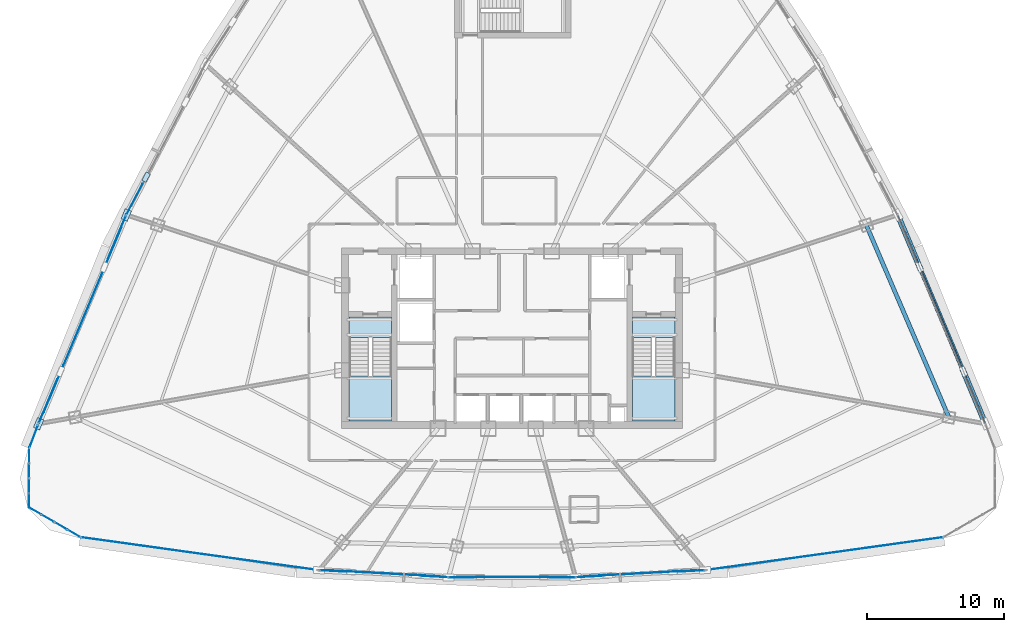
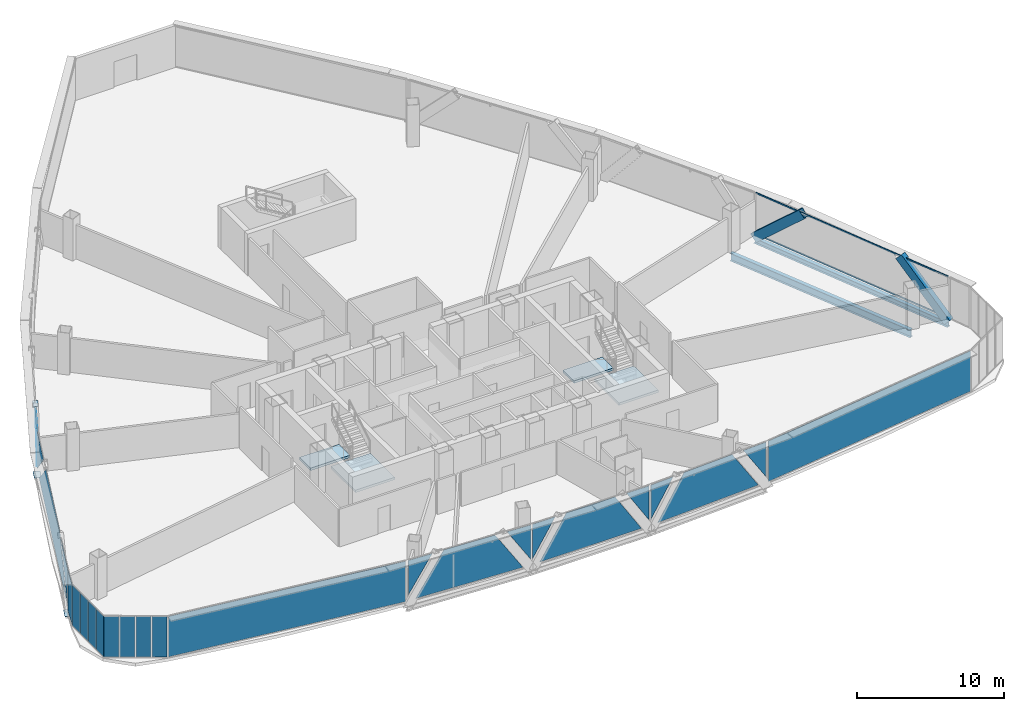
# One storey, part 27 of 37: 27 plates, 4 members, 4 slabs, 2 beams, 13 elements without a shape of their own.
"""IFC4 building model written with IfcOpenShell, lengths in metres."""

from ifc_helpers import new_model, si_unit, direction, frame, origin, origin_2d, place, context, subcontext, project, spatial, polyline, rectangle, hollow_rectangle, i_section, outline, extrude, source, transform, mapped, material, layer, layer_set, material_profile, profile_set, type_object, element, aggregate, save


model = new_model("IFC4")

# Units and contexts
model_context = context("Model", 3, precision=1e-05, world=origin(), true_north=direction((0.0, 1.0)))
body_context = subcontext(model_context, "Body", "Model", "MODEL_VIEW")
ifc_project = project(units=[si_unit("LENGTHUNIT", "METRE"), si_unit("AREAUNIT", "SQUARE_METRE"), si_unit("VOLUMEUNIT", "CUBIC_METRE"), si_unit("PLANEANGLEUNIT", "RADIAN"), si_unit("MASSUNIT", "GRAM", prefix="KILO"), si_unit("THERMODYNAMICTEMPERATUREUNIT", "KELVIN"), si_unit("POWERUNIT", "WATT")], contexts=[model_context])

# Site, building, storey
site_placement = place(None, origin())
site = spatial("IfcSite", under=ifc_project, at=site_placement, CompositionType="ELEMENT")
building_placement = place(site_placement, origin())
building = spatial("IfcBuilding", under=site, at=building_placement, Name="Yunzhuo Pagoda Commons", CompositionType="ELEMENT")
storey_placement = place(building_placement, frame((0.0, 0.0, 240.800048828125)))
storey = spatial("IfcBuildingStorey", under=building, at=storey_placement, Name="L60", CompositionType="ELEMENT", Elevation=240.800048828125)

# Beams
ifc_material_1 = material(Name="Structural steel Q355B", Category="steel")
ifc_material_profile_1 = material_profile(ifc_material_1, i_section(OverallWidth=0.300048828125, OverallDepth=0.64990234375, WebThickness=0.012939453125, FlangeThickness=0.02197265625, at=origin_2d()), Name="Structural steel Q355B")
ifc_profile_set_1 = profile_set([ifc_material_profile_1], Name="Structural steel Q355B")
beam_type_1 = type_object("IfcBeamType", Name="B-RG2 Beam HN 650x300x13x22", PredefinedType="BEAM", material=ifc_profile_set_1)
shared_shape_1 = source(origin(), body_context, "Body", "SweptSolid", [
    extrude(i_section(OverallWidth=0.300048828125, OverallDepth=0.64990234375, WebThickness=0.012939453125, FlangeThickness=0.02197265625, at=origin_2d()), origin(), (0.0, 0.0, 1.0), 15.28759765625),
])
beam_1_placement = place(storey_placement, frame((79.93408203125, 28.069091796875, -0.5849609375), z_axis=(-0.394788372839, 0.918772083093, 0.0), x_axis=(-0.918772083093, -0.394788372839, 0.0)))
element("IfcBeam", 1, at=beam_1_placement, inside=storey, type_object=beam_type_1, Name="L60 column-ring beam 5", PredefinedType="BEAM", context=body_context, shape_type="MappedRepresentation", body=[
    mapped(shared_shape_1, transform((0.0, 0.0, 0.0), scale=1.0)),
])
ifc_material_profile_2 = material_profile(ifc_material_1, i_section(OverallWidth=0.300048828125, OverallDepth=0.43994140625, WebThickness=0.010986328125, FlangeThickness=0.01806640625, at=origin_2d()), Name="Structural steel Q355B")
ifc_profile_set_2 = profile_set([ifc_material_profile_2], Name="Structural steel Q355B")
beam_type_2 = type_object("IfcBeamType", Name="B-SP2 Beam HM 440x300x11x18", PredefinedType="BEAM", material=ifc_profile_set_2)
shared_shape_2 = source(origin(), body_context, "Body", "SweptSolid", [
    extrude(i_section(OverallWidth=0.300048828125, OverallDepth=0.43994140625, WebThickness=0.010986328125, FlangeThickness=0.01806640625, at=origin_2d()), origin(), (0.0, 0.0, 1.0), 16.5537109375),
])
beam_2_placement = place(storey_placement, frame((82.6044921875, 27.598388671875, -0.47998046875), z_axis=(-0.387160772063, 0.922012221489, 0.0), x_axis=(-0.922012221489, -0.387160772063, 0.0)))
element("IfcBeam", 2, at=beam_2_placement, inside=storey, type_object=beam_type_2, Name="L60 facade edge spandrel beam F2.1", PredefinedType="BEAM", context=body_context, shape_type="MappedRepresentation", body=[
    mapped(shared_shape_2, transform((0.0, 0.0, 0.0), scale=1.0)),
])

# Members
ifc_material_profile_3 = material_profile(ifc_material_1, hollow_rectangle(XDim=0.39990234375, YDim=0.719970703125, WallThickness=0.02392578125, at=origin_2d()), Name="Structural steel Q355B")
ifc_profile_set_3 = profile_set([ifc_material_profile_3], Name="Structural steel Q355B")
member_type_1 = type_object("IfcMemberType", Name="M-DL2 Brace BOX 720x400x24", PredefinedType="BRACE", material=ifc_profile_set_3)
shared_shape_3 = source(origin(), body_context, "Body", "SweptSolid", [
    extrude(hollow_rectangle(XDim=0.39990234375, YDim=0.719970703125, WallThickness=0.02392578125, at=origin_2d()), origin(), (0.0, 0.0, 1.0), 5.571533203125),
])
member_1_placement = place(storey_placement, frame((82.6044921875, 27.598388671875, -0.260009765625), z_axis=(-0.287580564873, 0.684882558124, 0.669502278028), x_axis=(-0.922015799303, -0.387152251492, 0.0)))
element("IfcMember", 3, at=member_1_placement, inside=storey, type_object=member_type_1, Name="L60 facade diamond brace F2.1L", PredefinedType="BRACE", context=body_context, shape_type="MappedRepresentation", body=[
    mapped(shared_shape_3, transform((0.0, 0.0, 0.0), scale=1.0)),
])
shared_shape_4 = source(origin(), body_context, "Body", "SweptSolid", [
    extrude(hollow_rectangle(XDim=0.39990234375, YDim=0.719970703125, WallThickness=0.02392578125, at=origin_2d()), origin(), (0.0, 0.0, 1.0), 5.5712890625),
])
member_2_placement = place(storey_placement, frame((76.195556640625, 42.861083984375, -0.260009765625), z_axis=(0.287548999112, -0.68486792245, 0.669530807289), x_axis=(0.92202801509, 0.387123157912, 0.0)))
element("IfcMember", 4, at=member_2_placement, inside=storey, type_object=member_type_1, Name="L60 facade diamond brace F2.1R", PredefinedType="BRACE", context=body_context, shape_type="MappedRepresentation", body=[
    mapped(shared_shape_4, transform((0.0, 0.0, 0.0), scale=1.0)),
])

# Curtain wall, members
ifc_material_2 = material(Name="Anodized aluminium 6063-T6", Category="aluminium")
ifc_layer_1 = layer(ifc_material_2, 0.139892578125)
ifc_layer_set_1 = layer_set([ifc_layer_1], Name="Anodized aluminium 6063-T6")
curtain_wall_type_1 = type_object("IfcCurtainWallType", Name="CW-HI High-Zone Ribbon Curtain Wall", PredefinedType="NOTDEFINED", material=ifc_layer_set_1)
curtain_wall_1_placement = place(storey_placement, origin())
curtain_wall_1 = element("IfcCurtainWall", 5, at=curtain_wall_1_placement, inside=storey, type_object=curtain_wall_type_1, Name="L60 curtain wall CW-L60-F2B2", PredefinedType="NOTDEFINED")
ifc_material_profile_4 = material_profile(ifc_material_2, hollow_rectangle(XDim=0.054931640625, YDim=0.1201171875, WallThickness=0.00341796875, at=origin_2d()), Name="Anodized aluminium 6063-T6")
ifc_profile_set_4 = profile_set([ifc_material_profile_4], Name="Anodized aluminium 6063-T6")
member_type_2 = type_object("IfcMemberType", Name="CW-HI-T Transom RHS 120x55x3.5", PredefinedType="USERDEFINED", material=ifc_profile_set_4)
shared_shape_5 = source(origin(), body_context, "Body", "SweptSolid", [
    extrude(hollow_rectangle(XDim=0.054931640625, YDim=0.1201171875, WallThickness=0.00341796875, at=origin_2d()), origin(), (0.0, 0.0, 1.0), 16.433837890625),
])
member_3_placement = place(storey_placement, frame((82.581298828125, 27.65380859375, 0.02734375), z_axis=(-0.38717616129, 0.922005759271, 0.0), x_axis=(-0.922005759271, -0.38717616129, 0.0)))
member_3 = element("IfcMember", 6, at=member_3_placement, type_object=member_type_2, Name="CW transom 1.1", ObjectType="TRANSOM", PredefinedType="USERDEFINED", context=body_context, shape_type="MappedRepresentation", body=[
    mapped(shared_shape_5, transform((0.0, 0.0, 0.0), scale=1.0)),
])
member_4_placement = place(storey_placement, frame((82.581298828125, 27.65380859375, 3.4423828125), z_axis=(-0.38717616129, 0.922005759271, 0.0), x_axis=(-0.922005759271, -0.38717616129, 0.0)))
member_4 = element("IfcMember", 7, at=member_4_placement, type_object=member_type_2, Name="CW transom 1.2", ObjectType="TRANSOM", PredefinedType="USERDEFINED", context=body_context, shape_type="MappedRepresentation", body=[
    mapped(shared_shape_5, transform((0.0, 0.0, 0.0), scale=1.0)),
])
aggregate(curtain_wall_1, [member_3, member_4])

# Curtain wall, plates
curtain_wall_2_placement = place(storey_placement, origin())
curtain_wall_2 = element("IfcCurtainWall", 8, at=curtain_wall_2_placement, inside=storey, type_object=curtain_wall_type_1, Name="L60 curtain wall CW-L60-F1B2", PredefinedType="NOTDEFINED")
ifc_material_3 = material(Name="Tempered low-e double glazing", Category="glass")
ifc_layer_2 = layer(ifc_material_3, 0.02587890625)
ifc_layer_set_2 = layer_set([ifc_layer_2], Name="Tempered low-e double glazing")
plate_type_1 = type_object("IfcPlateType", Name="CW-HI-P Low-E Double Glazing 26", PredefinedType="CURTAIN_PANEL", material=ifc_layer_set_2)
plate_1_placement = place(storey_placement, frame((34.862548828125, 16.84619140625, 1.97900390625), z_axis=(-0.054497194278, -0.998513923697, 0.0), x_axis=(0.998513923697, -0.054497194278, 0.0)))
plate_1 = element("IfcPlate", 9, at=plate_1_placement, type_object=plate_type_1, Name="CW panel 1.1 lite 1", PredefinedType="CURTAIN_PANEL", context=body_context, shape_type="SweptSolid", body=[
    extrude(outline(polyline([(-0.912353515625, -1.43603515625), (0.912353515625, 1.43603515625), (-0.912353515625, 1.43603515625), (-0.912353515625, -1.43603515625)])), origin(), (0.0, 0.0, 1.0), 0.028076171875),
])
plate_2_placement = place(storey_placement, frame((38.625732421875, 16.6708984375, 1.73486328125), z_axis=(-0.054497194278, -0.998513923697, 0.0), x_axis=(0.998513923697, -0.054497194278, 0.0)))
plate_2 = element("IfcPlate", 10, at=plate_2_placement, type_object=plate_type_1, Name="CW panel 1.1 lite 2", PredefinedType="CURTAIN_PANEL", context=body_context, shape_type="SweptSolid", body=[
    extrude(outline(polyline([(-4.08935546875, -1.679931640625), (4.08935546875, -1.679931640625), (1.95458984375, 1.679931640625), (-1.95458984375, 1.679931640625), (-4.08935546875, -1.679931640625)])), origin(), (0.0, 0.0, 1.0), 0.028076171875),
])
plate_3_placement = place(storey_placement, frame((42.385986328125, 16.435546875, 1.97900390625), z_axis=(-0.054497194278, -0.998513923697, 0.0), x_axis=(0.998513923697, -0.054497194278, 0.0)))
plate_3 = element("IfcPlate", 11, at=plate_3_placement, type_object=plate_type_1, Name="CW panel 1.1 lite 3", PredefinedType="CURTAIN_PANEL", context=body_context, shape_type="SweptSolid", body=[
    extrude(outline(polyline([(-0.912353515625, 1.43603515625), (0.912353515625, -1.43603515625), (0.912353515625, 1.43603515625), (-0.912353515625, 1.43603515625)])), origin(), (0.0, 0.0, 1.0), 0.028076171875),
])
aggregate(curtain_wall_2, [plate_1, plate_2, plate_3])

curtain_wall_3_placement = place(storey_placement, origin())
curtain_wall_3 = element("IfcCurtainWall", 12, at=curtain_wall_3_placement, inside=storey, type_object=curtain_wall_type_1, Name="L60 curtain wall CW-L60-F1B3", PredefinedType="NOTDEFINED")
plate_4_placement = place(storey_placement, frame((44.30615234375, 16.3828125, 1.985107421875), z_axis=(0.0, -1.0, 0.0), x_axis=(1.0, 0.0, 0.0)))
plate_4 = element("IfcPlate", 13, at=plate_4_placement, type_object=plate_type_1, Name="CW panel 1.1 lite 1", PredefinedType="CURTAIN_PANEL", context=body_context, shape_type="SweptSolid", body=[
    extrude(outline(polyline([(-0.89013671875, -1.4296875), (0.89013671875, 1.4296875), (-0.89013671875, 1.4296875), (-0.89013671875, -1.4296875)])), origin(), (0.0, 0.0, 1.0), 0.028076171875),
])
plate_5_placement = place(storey_placement, frame((48.0, 16.41259765625, 1.73486328125), z_axis=(0.0, -1.0, 0.0), x_axis=(1.0, 0.0, 0.0)))
plate_5 = element("IfcPlate", 14, at=plate_5_placement, type_object=plate_type_1, Name="CW panel 1.1 lite 2", PredefinedType="CURTAIN_PANEL", context=body_context, shape_type="SweptSolid", body=[
    extrude(outline(polyline([(-4.000244140625, -1.679931640625), (4.000244140625, -1.679931640625), (1.90869140625, 1.679931640625), (-1.90869140625, 1.679931640625), (-4.000244140625, -1.679931640625)])), origin(), (0.0, 0.0, 1.0), 0.028076171875),
])
plate_6_placement = place(storey_placement, frame((51.69384765625, 16.3828125, 1.985107421875), z_axis=(0.0, -1.0, 0.0), x_axis=(1.0, 0.0, 0.0)))
plate_6 = element("IfcPlate", 15, at=plate_6_placement, type_object=plate_type_1, Name="CW panel 1.1 lite 3", PredefinedType="CURTAIN_PANEL", context=body_context, shape_type="SweptSolid", body=[
    extrude(outline(polyline([(-0.89013671875, 1.4296875), (0.89013671875, -1.4296875), (0.89013671875, 1.4296875), (-0.89013671875, 1.4296875)])), origin(), (0.0, 0.0, 1.0), 0.028076171875),
])
aggregate(curtain_wall_3, [plate_4, plate_5, plate_6])

curtain_wall_4_placement = place(storey_placement, origin())
curtain_wall_4 = element("IfcCurtainWall", 16, at=curtain_wall_4_placement, inside=storey, type_object=curtain_wall_type_1, Name="L60 curtain wall CW-L60-F1B4", PredefinedType="NOTDEFINED")
plate_7_placement = place(storey_placement, frame((53.614013671875, 16.435546875, 1.97900390625), z_axis=(0.054497194278, -0.998513923697, 0.0), x_axis=(0.998513923697, 0.054497194278, 0.0)))
plate_7 = element("IfcPlate", 17, at=plate_7_placement, type_object=plate_type_1, Name="CW panel 1.1 lite 1", PredefinedType="CURTAIN_PANEL", context=body_context, shape_type="SweptSolid", body=[
    extrude(outline(polyline([(-0.912353515625, -1.43603515625), (0.912353515625, 1.43603515625), (-0.912353515625, 1.43603515625), (-0.912353515625, -1.43603515625)])), origin(), (0.0, 0.0, 1.0), 0.028076171875),
])
plate_8_placement = place(storey_placement, frame((57.374267578125, 16.6708984375, 1.73486328125), z_axis=(0.054497194278, -0.998513923697, 0.0), x_axis=(0.998513923697, 0.054497194278, 0.0)))
plate_8 = element("IfcPlate", 18, at=plate_8_placement, type_object=plate_type_1, Name="CW panel 1.1 lite 2", PredefinedType="CURTAIN_PANEL", context=body_context, shape_type="SweptSolid", body=[
    extrude(outline(polyline([(-4.08935546875, -1.679931640625), (4.08935546875, -1.679931640625), (1.95458984375, 1.679931640625), (-1.95458984375, 1.679931640625), (-4.08935546875, -1.679931640625)])), origin(), (0.0, 0.0, 1.0), 0.028076171875),
])
plate_9_placement = place(storey_placement, frame((61.137451171875, 16.84619140625, 1.97900390625), z_axis=(0.054497194278, -0.998513923697, 0.0), x_axis=(0.998513923697, 0.054497194278, 0.0)))
plate_9 = element("IfcPlate", 19, at=plate_9_placement, type_object=plate_type_1, Name="CW panel 1.1 lite 3", PredefinedType="CURTAIN_PANEL", context=body_context, shape_type="SweptSolid", body=[
    extrude(outline(polyline([(-0.912353515625, 1.43603515625), (0.912353515625, -1.43603515625), (0.912353515625, 1.43603515625), (-0.912353515625, 1.43603515625)])), origin(), (0.0, 0.0, 1.0), 0.028076171875),
])
aggregate(curtain_wall_4, [plate_7, plate_8, plate_9])

# Curtain wall, plate
curtain_wall_5_placement = place(storey_placement, origin())
curtain_wall_5 = element("IfcCurtainWall", 20, at=curtain_wall_5_placement, inside=storey, type_object=curtain_wall_type_1, Name="L60 curtain wall CW-L60-F3B3", PredefinedType="NOTDEFINED")
plate_10_placement = place(storey_placement, frame((20.428466796875, 44.01904296875, 1.91015625), z_axis=(-0.88543295769, 0.464767121725, 0.0), x_axis=(-0.464767121725, -0.88543295769, 0.0)))
plate_10 = element("IfcPlate", 21, at=plate_10_placement, type_object=plate_type_1, Name="CW panel 1.1 lite 3", PredefinedType="CURTAIN_PANEL", context=body_context, shape_type="SweptSolid", body=[
    extrude(outline(polyline([(-1.255126953125, 1.5048828125), (1.255126953125, -1.5048828125), (1.255126953125, 1.5048828125), (-1.255126953125, 1.5048828125)])), origin(), (0.0, 0.0, 1.0), 0.028076171875),
])
aggregate(curtain_wall_5, [plate_10])

# Curtain wall, plates
curtain_wall_6_placement = place(storey_placement, origin())
curtain_wall_6 = element("IfcCurtainWall", 22, at=curtain_wall_6_placement, inside=storey, type_object=curtain_wall_type_1, Name="L60 curtain wall CW-L60-F3B4", PredefinedType="NOTDEFINED")
plate_11_placement = place(storey_placement, frame((19.12646484375, 41.210205078125, 1.8603515625), z_axis=(-0.922008372235, 0.387169938824, 0.0), x_axis=(-0.387169938824, -0.922008372235, 0.0)))
plate_11 = element("IfcPlate", 23, at=plate_11_placement, type_object=plate_type_1, Name="CW panel 1.1 lite 1", PredefinedType="CURTAIN_PANEL", context=body_context, shape_type="SweptSolid", body=[
    extrude(outline(polyline([(-1.724853515625, -1.5546875), (1.72509765625, 1.5546875), (-1.724853515625, 1.5546875), (-1.724853515625, -1.5546875)])), origin(), (0.0, 0.0, 1.0), 0.028076171875),
])
plate_12_placement = place(storey_placement, frame((16.640625, 35.212646484375, 1.73486328125), z_axis=(-0.922008372235, 0.387169938824, 0.0), x_axis=(-0.387169938824, -0.922008372235, 0.0)))
plate_12 = element("IfcPlate", 24, at=plate_12_placement, type_object=plate_type_1, Name="CW panel 1.1 lite 2", PredefinedType="CURTAIN_PANEL", context=body_context, shape_type="SweptSolid", body=[
    extrude(outline(polyline([(-7.35986328125, -1.679931640625), (7.35986328125, -1.679931640625), (3.6318359375, 1.679931640625), (-3.6318359375, 1.679931640625), (-7.35986328125, -1.679931640625)])), origin(), (0.0, 0.0, 1.0), 0.028076171875),
])
plate_13_placement = place(storey_placement, frame((14.099609375, 29.238525390625, 1.8603515625), z_axis=(-0.922008372235, 0.387169938824, 0.0), x_axis=(-0.387169938824, -0.922008372235, 0.0)))
plate_13 = element("IfcPlate", 25, at=plate_13_placement, type_object=plate_type_1, Name="CW panel 1.1 lite 3", PredefinedType="CURTAIN_PANEL", context=body_context, shape_type="SweptSolid", body=[
    extrude(outline(polyline([(-1.72509765625, 1.5546875), (1.724853515625, -1.5546875), (1.724853515625, 1.5546875), (-1.72509765625, 1.5546875)])), origin(), (0.0, 0.0, 1.0), 0.028076171875),
])
aggregate(curtain_wall_6, [plate_11, plate_12, plate_13])

# Stair, slabs
ifc_material_4 = material(Name="Concrete C40", Category="concrete")
stair_type_1 = type_object("IfcStairType", Name="ST-C1 Core Smokeproof Stair ST1", PredefinedType="HALF_TURN_STAIR", material=ifc_material_4)
stair_1_placement = place(storey_placement, origin())
stair_1 = element("IfcStair", 26, at=stair_1_placement, inside=storey, type_object=stair_type_1, Name="L60 Core smokeproof stair ST1", PredefinedType="HALF_TURN_STAIR")
ifc_layer_3 = layer(ifc_material_4, 0.199951171875)
ifc_layer_set_3 = layer_set([ifc_layer_3], Name="Concrete C40")
slab_type_1 = type_object("IfcSlabType", Name="SL-LND1 Stair Landing Slab 200", PredefinedType="LANDING", material=ifc_layer_set_3)
slab_1_placement = place(storey_placement, frame((0.0, 0.0, 1.6650390625)))
slab_1 = element("IfcSlab", 27, at=slab_1_placement, type_object=slab_type_1, Name="ST1 landing 1", PredefinedType="LANDING", context=body_context, shape_type="SweptSolid", body=[
    extrude(outline(polyline([(36.10009765625, 31.10009765625), (36.10009765625, 27.800048828125), (39.199951171875, 27.800048828125), (39.199951171875, 31.10009765625), (36.10009765625, 31.10009765625)])), origin(), (0.0, 0.0, 1.0), 0.199951171875),
])
slab_2_placement = place(storey_placement, frame((0.0, 0.0, -0.199951171875)))
slab_2 = element("IfcSlab", 28, at=slab_2_placement, type_object=slab_type_1, Name="ST1 floor landing L60", PredefinedType="LANDING", context=body_context, shape_type="SweptSolid", body=[
    extrude(outline(polyline([(36.10009765625, 35.39990234375), (36.10009765625, 33.89990234375), (39.199951171875, 33.89990234375), (39.199951171875, 35.39990234375), (36.10009765625, 35.39990234375)])), origin(), (0.0, 0.0, 1.0), 0.199951171875),
])
aggregate(stair_1, [slab_1, slab_2])

stair_type_2 = type_object("IfcStairType", Name="ST-C2 Core Smokeproof Stair ST2", PredefinedType="HALF_TURN_STAIR", material=ifc_material_4)
stair_2_placement = place(storey_placement, origin())
stair_2 = element("IfcStair", 29, at=stair_2_placement, inside=storey, type_object=stair_type_2, Name="L60 Core smokeproof stair ST2", PredefinedType="HALF_TURN_STAIR")
ifc_layer_4 = layer(ifc_material_4, 0.201904296875)
ifc_layer_set_4 = layer_set([ifc_layer_4], Name="Concrete C40")
slab_type_2 = type_object("IfcSlabType", Name="SL-LND2 Stair Landing Slab 202", PredefinedType="LANDING", material=ifc_layer_set_4)
slab_3_placement = place(storey_placement, frame((0.0, 0.0, 1.6650390625)))
slab_3 = element("IfcSlab", 30, at=slab_3_placement, type_object=slab_type_2, Name="ST2 landing 1", PredefinedType="LANDING", context=body_context, shape_type="SweptSolid", body=[
    extrude(outline(polyline([(56.800048828125, 31.10009765625), (56.800048828125, 27.800048828125), (59.89990234375, 27.800048828125), (59.89990234375, 31.10009765625), (56.800048828125, 31.10009765625)])), origin(), (0.0, 0.0, 1.0), 0.199951171875),
])
slab_4_placement = place(storey_placement, frame((0.0, 0.0, -0.199951171875)))
slab_4 = element("IfcSlab", 31, at=slab_4_placement, type_object=slab_type_2, Name="ST2 floor landing L60", PredefinedType="LANDING", context=body_context, shape_type="SweptSolid", body=[
    extrude(outline(polyline([(56.800048828125, 35.39990234375), (56.800048828125, 33.89990234375), (59.89990234375, 33.89990234375), (59.89990234375, 35.39990234375), (56.800048828125, 35.39990234375)])), origin(), (0.0, 0.0, 1.0), 0.199951171875),
])
aggregate(stair_2, [slab_3, slab_4])

# Plates
ifc_layer_5 = layer(ifc_material_1, 0.028076171875)
ifc_layer_set_5 = layer_set([ifc_layer_5], Name="Structural steel Q355B")
plate_type_2 = type_object("IfcPlateType", Name="SP-ND1 Lattice Node Cap Plate 800x500x28", PredefinedType="USERDEFINED", material=ifc_layer_set_5)
shared_shape_6 = source(origin(), body_context, "Body", "SweptSolid", [
    extrude(rectangle(XDim=0.800048828125, YDim=0.5, at=origin_2d()), origin(), (0.0, 0.0, 1.0), 0.028076171875),
])
for number, where, z_axis, x_axis, name in (
    (32, (19.8046875, 42.861083984375, -0.27392578125), (0.0, 0.0, 1.0), (-0.387177679939, -0.922005121546, 0.0), "L60 diamond node plate F3.3A"),
    (33, (13.3955078125, 27.598388671875, -0.27392578125), (0.0, 0.0, 1.0), (-0.387177679939, -0.922005121546, 0.0), "L60 diamond node plate F3.3B"),
):
    element("IfcPlate", number, at=place(storey_placement, frame(where, z_axis=z_axis, x_axis=x_axis)), inside=storey, type_object=plate_type_2, Name=name, ObjectType="STIFFENER_PLATE", PredefinedType="USERDEFINED", context=body_context, shape_type="MappedRepresentation", body=[
        mapped(shared_shape_6, transform((0.0, 0.0, 0.0), scale=1.0)),
    ])
shared_shape_7 = source(origin(), body_context, "Body", "SweptSolid", [
    extrude(rectangle(XDim=0.699951171875, YDim=0.35009765625, at=origin_2d()), origin(), (0.0, 0.0, 1.0), 0.035888671875),
])
plate_14_placement = place(storey_placement, frame((21.25048828125, 45.61572265625, 3.43212890625), z_axis=(0.0, 0.0, 1.0), x_axis=(-0.464764778785, -0.885434187504, 0.0)))
element("IfcPlate", 34, at=plate_14_placement, inside=storey, type_object=plate_type_2, Name="L60 setback lattice tie plate F3.2R", ObjectType="STIFFENER_PLATE", PredefinedType="USERDEFINED", context=body_context, shape_type="MappedRepresentation", body=[
    mapped(shared_shape_7, transform((0.0, 0.0, 0.0), scale=1.0)),
])

# Curtain wall, plate
curtain_wall_7_placement = place(storey_placement, origin())
curtain_wall_7 = element("IfcCurtainWall", 35, at=curtain_wall_7_placement, inside=storey, type_object=curtain_wall_type_1, Name="L60 curtain wall CW-L60-F1B1", PredefinedType="NOTDEFINED")
shared_shape_8 = source(origin(), body_context, "Body", "SweptSolid", [
    extrude(rectangle(XDim=17.41650390625, YDim=0.028076171875, at=origin_2d()), origin(), (0.0, 0.0, 1.0), 3.360107421875),
])
plate_15_placement = place(storey_placement, frame((25.131103515625, 18.09912109375, 0.0546875), z_axis=(0.0, 0.0, 1.0), x_axis=(0.990536382082, -0.137250412651, 0.0)))
plate_15 = element("IfcPlate", 36, at=plate_15_placement, type_object=plate_type_1, Name="CW panel 1.1", PredefinedType="CURTAIN_PANEL", context=body_context, shape_type="MappedRepresentation", body=[
    mapped(shared_shape_8, transform((0.0, 0.0, 0.0), scale=1.0)),
])
aggregate(curtain_wall_7, [plate_15])

curtain_wall_8_placement = place(storey_placement, origin())
curtain_wall_8 = element("IfcCurtainWall", 37, at=curtain_wall_8_placement, inside=storey, type_object=curtain_wall_type_1, Name="L60 curtain wall CW-L60-F1B5", PredefinedType="NOTDEFINED")
plate_16_placement = place(storey_placement, frame((70.868896484375, 18.09912109375, 0.0546875), z_axis=(0.0, 0.0, 1.0), x_axis=(0.990536382082, 0.137250412651, 0.0)))
plate_16 = element("IfcPlate", 38, at=plate_16_placement, type_object=plate_type_1, Name="CW panel 1.1", PredefinedType="CURTAIN_PANEL", context=body_context, shape_type="MappedRepresentation", body=[
    mapped(shared_shape_8, transform((0.0, 0.0, 0.0), scale=1.0)),
])
aggregate(curtain_wall_8, [plate_16])

curtain_wall_9_placement = place(storey_placement, origin())
curtain_wall_9 = element("IfcCurtainWall", 39, at=curtain_wall_9_placement, inside=storey, type_object=curtain_wall_type_1, Name="L60 curtain wall CW-L60-F3B5", PredefinedType="NOTDEFINED")
shared_shape_9 = source(origin(), body_context, "Body", "SweptSolid", [
    extrude(rectangle(XDim=1.723876953125, YDim=0.028076171875, at=origin_2d()), origin(), (0.0, 0.0, 1.0), 3.360107421875),
])
plate_17_placement = place(storey_placement, frame((13.04052734375, 26.666748046875, 0.0546875), z_axis=(0.0, 0.0, 1.0), x_axis=(-0.356117115139, -0.934441330585, 0.0)))
plate_17 = element("IfcPlate", 40, at=plate_17_placement, type_object=plate_type_1, Name="CW panel 1.1", PredefinedType="CURTAIN_PANEL", context=body_context, shape_type="MappedRepresentation", body=[
    mapped(shared_shape_9, transform((0.0, 0.0, 0.0), scale=1.0)),
])
aggregate(curtain_wall_9, [plate_17])

# Curtain wall, plates
ifc_layer_6 = layer(ifc_material_2, 0.1298828125)
ifc_layer_set_6 = layer_set([ifc_layer_6], Name="Anodized aluminium 6063-T6")
curtain_wall_type_2 = type_object("IfcCurtainWallType", Name="CW-VTX Rounded Corner Curtain Wall", PredefinedType="NOTDEFINED", material=ifc_layer_set_6)
curtain_wall_10_placement = place(storey_placement, origin())
curtain_wall_10 = element("IfcCurtainWall", 41, at=curtain_wall_10_placement, inside=storey, type_object=curtain_wall_type_2, Name="L60 curtain wall CW-L60-VTX1S1", PredefinedType="NOTDEFINED")
ifc_layer_7 = layer(ifc_material_3, 0.02587890625)
ifc_layer_set_7 = layer_set([ifc_layer_7], Name="Tempered low-e double glazing")
plate_type_3 = type_object("IfcPlateType", Name="CW-VTX-P Low-E Double Glazing 26", PredefinedType="CURTAIN_PANEL", material=ifc_layer_set_7)
shared_shape_10 = source(origin(), body_context, "Body", "SweptSolid", [
    extrude(rectangle(XDim=1.01220703125, YDim=0.028076171875, at=origin_2d()), origin(), (0.0, 0.0, 1.0), 3.360107421875),
])
plate_18_placement = place(storey_placement, frame((12.710205078125, 25.244140625, 0.0546875), z_axis=(0.0, 0.0, 1.0), x_axis=(-0.003585679809, -0.999993571429, 0.0)))
plate_18 = element("IfcPlate", 42, at=plate_18_placement, type_object=plate_type_3, Name="CW panel 1.1", PredefinedType="CURTAIN_PANEL", context=body_context, shape_type="MappedRepresentation", body=[
    mapped(shared_shape_10, transform((0.0, 0.0, 0.0), scale=1.0)),
])
plate_19_placement = place(storey_placement, frame((12.698486328125, 21.98779296875, 0.0546875), z_axis=(0.0, 0.0, 1.0), x_axis=(-0.003585679809, -0.999993571429, 0.0)))
plate_19 = element("IfcPlate", 43, at=plate_19_placement, type_object=plate_type_3, Name="CW panel 4.1", PredefinedType="CURTAIN_PANEL", context=body_context, shape_type="MappedRepresentation", body=[
    mapped(shared_shape_10, transform((0.0, 0.0, 0.0), scale=1.0)),
])

curtain_wall_11_placement = place(storey_placement, origin())
curtain_wall_11 = element("IfcCurtainWall", 44, at=curtain_wall_11_placement, inside=storey, type_object=curtain_wall_type_2, Name="L60 curtain wall CW-L60-VTX1S2", PredefinedType="NOTDEFINED")
plate_20_placement = place(storey_placement, frame((13.14208984375, 21.215087890625, 0.0546875), z_axis=(0.0, 0.0, 1.0), x_axis=(0.865426806692, -0.501035370268, 0.0)))
plate_20 = element("IfcPlate", 45, at=plate_20_placement, type_object=plate_type_3, Name="CW panel 1.1", PredefinedType="CURTAIN_PANEL", context=body_context, shape_type="MappedRepresentation", body=[
    mapped(shared_shape_10, transform((0.0, 0.0, 0.0), scale=1.0)),
])
plate_21_placement = place(storey_placement, frame((15.96044921875, 19.58349609375, 0.0546875), z_axis=(0.0, 0.0, 1.0), x_axis=(0.865426806692, -0.501035370268, 0.0)))
plate_21 = element("IfcPlate", 46, at=plate_21_placement, type_object=plate_type_3, Name="CW panel 4.1", PredefinedType="CURTAIN_PANEL", context=body_context, shape_type="MappedRepresentation", body=[
    mapped(shared_shape_10, transform((0.0, 0.0, 0.0), scale=1.0)),
])

# Plate
shared_shape_11 = source(origin(), body_context, "Body", "SweptSolid", [
    extrude(rectangle(XDim=1.03955078125, YDim=0.028076171875, at=origin_2d()), origin(), (0.0, 0.0, 1.0), 3.360107421875),
])
plate_22_placement = place(storey_placement, frame((12.706298828125, 24.163330078125, 0.0546875), z_axis=(0.0, 0.0, 1.0), x_axis=(-0.003585679809, -0.999993571429, 0.0)))
plate_22 = element("IfcPlate", 47, at=plate_22_placement, type_object=plate_type_3, Name="CW panel 2.1", PredefinedType="CURTAIN_PANEL", context=body_context, shape_type="MappedRepresentation", body=[
    mapped(shared_shape_11, transform((0.0, 0.0, 0.0), scale=1.0)),
])

plate_23_placement = place(storey_placement, frame((12.702392578125, 23.06884765625, 0.0546875), z_axis=(0.0, 0.0, 1.0), x_axis=(-0.003585679809, -0.999993571429, 0.0)))
plate_23 = element("IfcPlate", 48, at=plate_23_placement, type_object=plate_type_3, Name="CW panel 3.1", PredefinedType="CURTAIN_PANEL", context=body_context, shape_type="MappedRepresentation", body=[
    mapped(shared_shape_11, transform((0.0, 0.0, 0.0), scale=1.0)),
])

aggregate(curtain_wall_10, [plate_18, plate_22, plate_23, plate_19])

plate_24_placement = place(storey_placement, frame((14.07763671875, 20.673583984375, 0.0546875), z_axis=(0.0, 0.0, 1.0), x_axis=(0.865426806692, -0.501035370268, 0.0)))
plate_24 = element("IfcPlate", 49, at=plate_24_placement, type_object=plate_type_3, Name="CW panel 2.1", PredefinedType="CURTAIN_PANEL", context=body_context, shape_type="MappedRepresentation", body=[
    mapped(shared_shape_11, transform((0.0, 0.0, 0.0), scale=1.0)),
])

plate_25_placement = place(storey_placement, frame((15.02490234375, 20.125244140625, 0.0546875), z_axis=(0.0, 0.0, 1.0), x_axis=(0.865426806692, -0.501035370268, 0.0)))
plate_25 = element("IfcPlate", 50, at=plate_25_placement, type_object=plate_type_3, Name="CW panel 3.1", PredefinedType="CURTAIN_PANEL", context=body_context, shape_type="MappedRepresentation", body=[
    mapped(shared_shape_11, transform((0.0, 0.0, 0.0), scale=1.0)),
])

aggregate(curtain_wall_11, [plate_20, plate_24, plate_25, plate_21])

save(model, "model.ifc")
